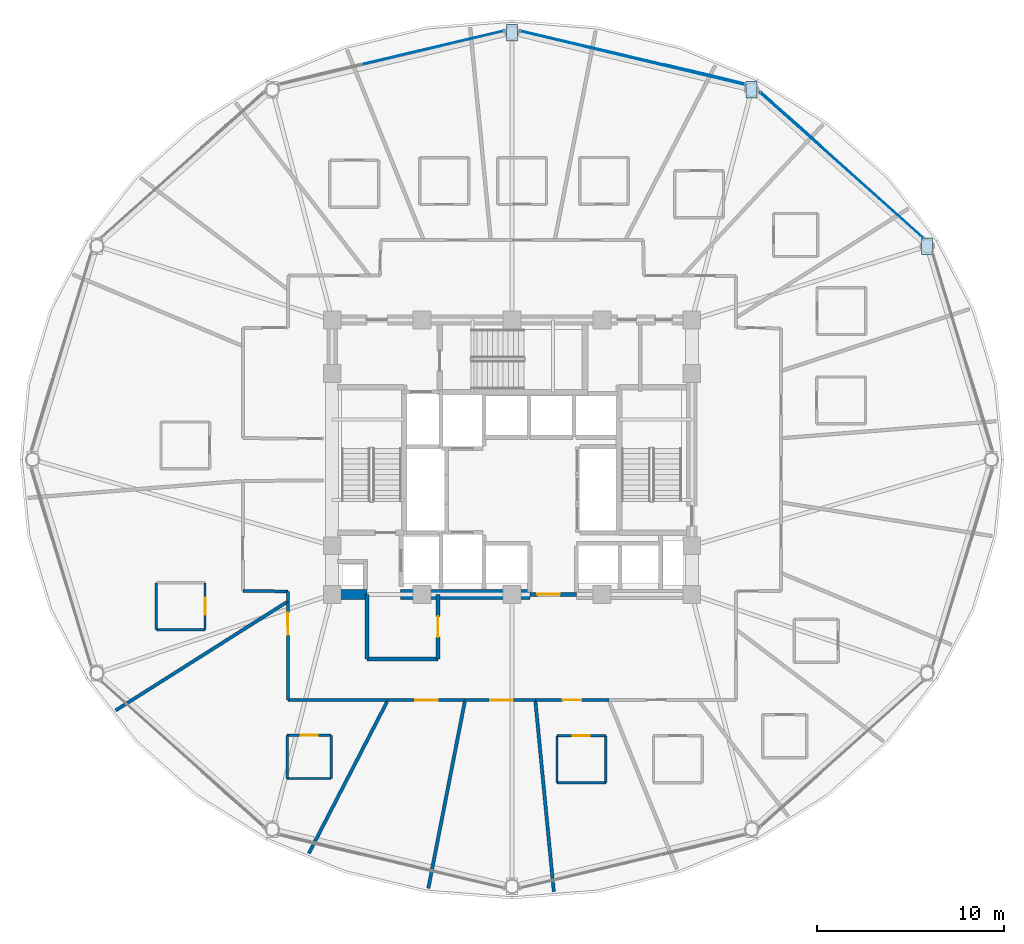
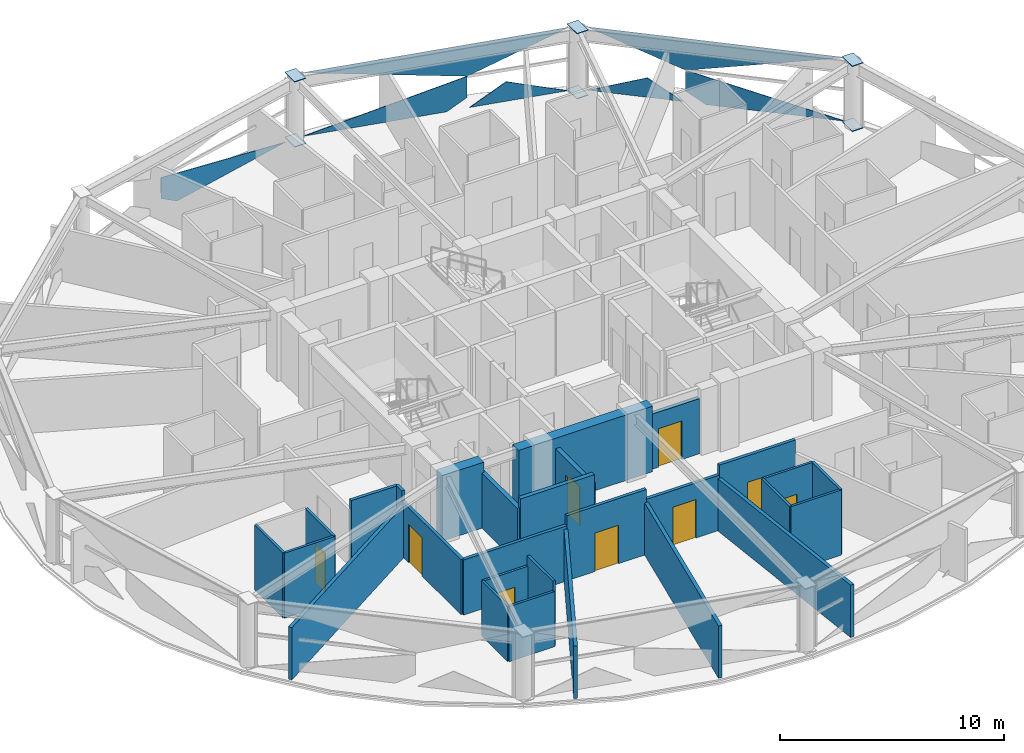
# One storey, part 24 of 32: 28 walls, 13 plates, 9 doors, 9 openings, 3 elements without a shape of their own.
"""IFC4 building model written with IfcOpenShell, lengths in metres."""

from ifc_helpers import new_model, si_unit, direction, frame, frame_2d, origin, place, context, subcontext, project, spatial, polyline, rectangle, outline, extrude, material, layer, layer_set, type_object, element, fill, aggregate, save


model = new_model("IFC4")

# Units and contexts
model_context = context("Model", 3, precision=1e-05, world=origin(), true_north=direction((0.0, 1.0)))
body_context = subcontext(model_context, "Body", "Model", "MODEL_VIEW")
ifc_project = project(units=[si_unit("LENGTHUNIT", "METRE"), si_unit("AREAUNIT", "SQUARE_METRE"), si_unit("VOLUMEUNIT", "CUBIC_METRE"), si_unit("PLANEANGLEUNIT", "RADIAN"), si_unit("MASSUNIT", "GRAM", prefix="KILO")], contexts=[model_context])

# Site, building, storey
site_placement = place(None, origin())
site = spatial("IfcSite", under=ifc_project, at=site_placement, CompositionType="ELEMENT")
building_placement = place(site_placement, origin())
building = spatial("IfcBuilding", under=site, at=building_placement, Name="Vantalir Tower", CompositionType="ELEMENT")
storey_placement = place(building_placement, frame((0.0, 0.0, 100.949951171875)))
storey = spatial("IfcBuildingStorey", under=building, at=storey_placement, Name="L24", CompositionType="ELEMENT", Elevation=100.949951171875)

# Curtain wall, plates
ifc_material_1 = material(Name="Champagne-silver PVDF aluminium and double-silver Low-E glass", Category="aluminium")
ifc_layer_1 = layer(ifc_material_1, 0.199951171875)
ifc_layer_set_1 = layer_set([ifc_layer_1], Name="Champagne-silver PVDF aluminium and double-silver Low-E glass")
curtain_wall_type = type_object("IfcCurtainWallType", Name="CW-DIAMOND-Z2", PredefinedType="USERDEFINED", material=ifc_layer_set_1)
curtain_wall_1_placement = place(storey_placement, origin())
curtain_wall_1 = element("IfcCurtainWall", 1, at=curtain_wall_1_placement, inside=storey, type_object=curtain_wall_type, Name="L24 Quilted Pyramid-Diamond Curtain Wall S02", ObjectType="UNITISED CURTAIN WALL", PredefinedType="USERDEFINED")
ifc_material_2 = material(Name="Double-silver Low-E laminated glass IGU", Category="glass")
ifc_layer_2 = layer(ifc_material_2, 0.028076171875)
ifc_layer_set_2 = layer_set([ifc_layer_2], Name="Double-silver Low-E laminated glass IGU")
plate_type_1 = type_object("IfcPlateType", Name="CWP-IGU-28", PredefinedType="CURTAIN_PANEL", material=ifc_layer_set_2)
plate_1_placement = place(storey_placement, frame((53.484375, 36.791748046875, 0.04638671875), z_axis=(-0.665392914712, -0.746367998627, 0.013677707289), x_axis=(-0.746437475345, 0.665455553694, 3.8194755e-05)))
plate_1 = element("IfcPlate", 2, at=plate_1_placement, type_object=plate_type_1, Name="CW-L24-S02 Pyramid Diamond Facet 1L", PredefinedType="CURTAIN_PANEL", context=body_context, shape_type="SweptSolid", body=[
    extrude(outline(polyline([(0.0, 0.0), (6.3500459827509514, 1.1709383462843448e-17), (7.265366109733233, -0.5932838592043047), (7.265391347844731, -1.7269332251036806), (0.0, 0.0)])), origin(), (0.0, 0.0, -1.0), 0.028076171875),
])
plate_2_placement = place(storey_placement, frame((47.98388671875, 41.738037109375, 0.046142578125), z_axis=(-0.665394080446, -0.746363789447, 0.01384960323), x_axis=(-0.746435380329, 0.665457904749, 0.0)))
plate_2 = element("IfcPlate", 3, at=plate_2_placement, type_object=plate_type_1, Name="CW-L24-S02 Pyramid Diamond Facet 1L Infill Light", PredefinedType="CURTAIN_PANEL", context=body_context, shape_type="SweptSolid", body=[
    extrude(outline(polyline([(0.0, 0.0), (4.332440294194434, -6.938893903907228e-18), (1.6192274150799149, -1.0496612202544433), (0.0, 0.0)])), origin(), (0.0, 0.0, -1.0), 0.028076171875),
])
plate_3_placement = place(storey_placement, frame((44.728515625, 44.597412109375, 3.5234375), z_axis=(0.665380669575, 0.746378894422, 0.013678834638), x_axis=(0.746448542261, -0.665443140564, 2.081331e-05)))
plate_3 = element("IfcPlate", 4, at=plate_3_placement, type_object=plate_type_1, Name="CW-L24-S02 Pyramid Diamond Facet 2U", PredefinedType="CURTAIN_PANEL", context=body_context, shape_type="SweptSolid", body=[
    extrude(outline(polyline([(0.0, 0.0), (11.730024079727377, -8.131516293641283e-19), (4.464663138664101, 1.7270611486271994), (0.0, 0.0)])), origin(), (0.0, 0.0, -1.0), 0.028076171875),
])
aggregate(curtain_wall_1, [plate_1, plate_2, plate_3])

curtain_wall_2_placement = place(storey_placement, origin())
curtain_wall_2 = element("IfcCurtainWall", 5, at=curtain_wall_2_placement, inside=storey, type_object=curtain_wall_type, Name="L24 Quilted Pyramid-Diamond Curtain Wall S03", ObjectType="UNITISED CURTAIN WALL", PredefinedType="USERDEFINED")
plate_4_placement = place(storey_placement, frame((38.450927734375, 46.318115234375, 0.04638671875), z_axis=(-0.232234255581, -0.972564710744, 0.013606393743), x_axis=(-0.97265474992, 0.23225575872, 2.21496e-07)))
plate_4 = element("IfcPlate", 6, at=plate_4_placement, type_object=plate_type_1, Name="CW-L24-S03 Pyramid Diamond Facet 1L", PredefinedType="CURTAIN_PANEL", context=body_context, shape_type="SweptSolid", body=[
    extrude(outline(polyline([(0.0, 0.0), (6.691301387541699, -3.469446951953614e-18), (-0.9572399923047498, -1.7274550465904641), (-0.9571371626585519, -0.592341684166489), (0.0, 0.0)])), origin(), (0.0, 0.0, -1.0), 0.028076171875),
])
plate_5_placement = place(storey_placement, frame((43.953857421875, 45.036865234375, 0.046142578125), z_axis=(-0.232263895951, -0.972558301546, 0.013558492993), x_axis=(-0.972647707898, 0.232285247748, 0.0)))
plate_5 = element("IfcPlate", 7, at=plate_5_placement, type_object=plate_type_1, Name="CW-L24-S03 Pyramid Diamond Facet 1L Infill Light", PredefinedType="CURTAIN_PANEL", context=body_context, shape_type="SweptSolid", body=[
    extrude(outline(polyline([(0.0, 0.0), (4.567811199959756, -1.734723475976807e-18), (2.8641317104846302, -1.0542961302731988), (0.0, 0.0)])), origin(), (0.0, 0.0, -1.0), 0.028076171875),
])
plate_6_placement = place(storey_placement, frame((31.942626953125, 47.872314453125, 3.523681640625), z_axis=(0.232260523189, 0.972557634169, 0.013663732563), x_axis=(0.972648496566, -0.23228194449, -1.9782145e-05)))
plate_6 = element("IfcPlate", 8, at=plate_6_placement, type_object=plate_type_1, Name="CW-L24-S03 Pyramid Diamond Facet 2U", PredefinedType="CURTAIN_PANEL", context=body_context, shape_type="SweptSolid", body=[
    extrude(outline(polyline([(0.0, 0.0), (12.341463840613704, 1.2197274440461925e-18), (7.648575297909645, 1.7273048663411104), (0.0, 0.0)])), origin(), (0.0, 0.0, -1.0), 0.028076171875),
])
aggregate(curtain_wall_2, [plate_4, plate_5, plate_6])

# Curtain wall, plate
curtain_wall_3_placement = place(storey_placement, origin())
curtain_wall_3 = element("IfcCurtainWall", 9, at=curtain_wall_3_placement, inside=storey, type_object=curtain_wall_type, Name="L24 Quilted Pyramid-Diamond Curtain Wall S04", ObjectType="UNITISED CURTAIN WALL", PredefinedType="USERDEFINED")
plate_7_placement = place(storey_placement, frame((31.057373046875, 47.872314453125, 0.04638671875), z_axis=(0.232234255581, -0.972564710744, 0.013606393743), x_axis=(-0.97265474992, -0.23225575872, -2.21496e-07)))
plate_7 = element("IfcPlate", 10, at=plate_7_placement, type_object=plate_type_1, Name="CW-L24-S04 Pyramid Diamond Facet 1L", PredefinedType="CURTAIN_PANEL", context=body_context, shape_type="SweptSolid", body=[
    extrude(outline(polyline([(0.0, 0.0), (6.691301387541699, 3.469446951953614e-18), (7.648438550200251, -0.592341684166489), (7.648541379846449, -1.7274550465904641), (0.0, 0.0)])), origin(), (0.0, 0.0, -1.0), 0.028076171875),
])
aggregate(curtain_wall_3, [plate_7])

# Plates
ifc_material_3 = material(Name="Steel S460", Category="steel")
ifc_layer_3 = layer(ifc_material_3, 0.035888671875)
ifc_layer_set_3 = layer_set([ifc_layer_3], Name="Steel S460")
plate_type_2 = type_object("IfcPlateType", Name="PLT-KN-Z2", PredefinedType="USERDEFINED", material=ifc_layer_set_3)
for number, where, z_axis, x_axis, name in (
    (11, (53.3701171875, 36.833984375, 3.59814453125), (0.0, 0.0, 1.0), (0.0, -1.0, 0.0), "L24 Ring Column Top Cap RC02"),
    (12, (53.3701171875, 36.833984375, 0.052978515625), (0.0, 0.0, 1.0), (0.0, -1.0, 0.0), "L24 Ring Column Base Cap RC02"),
):
    element("IfcPlate", number, at=place(storey_placement, frame(where, z_axis=z_axis, x_axis=x_axis)), inside=storey, type_object=plate_type_2, Name=name, ObjectType="FLANGE_PLATE", PredefinedType="USERDEFINED", context=body_context, shape_type="SweptSolid", body=[
        extrude(outline(polyline([(0.0, 0.0), (0.8798828125, 0.0), (0.8798828125, 0.579833984375), (0.0, 0.579833984375), (0.0, 0.0)])), origin(), (0.0, 0.0, -1.0), 0.035888671875),
    ])
for number, where, z_axis, x_axis, name in (
    (13, (44.00390625, 45.175048828125, 3.59814453125), (0.0, 0.0, 1.0), (0.0, -1.0, 0.0), "L24 Ring Column Top Cap RC03"),
    (14, (44.00390625, 45.175048828125, 0.052978515625), (0.0, 0.0, 1.0), (0.0, -1.0, 0.0), "L24 Ring Column Base Cap RC03"),
    (15, (31.2099609375, 48.22802734375, 3.59814453125), (0.0, 0.0, 1.0), (0.0, -1.0, 0.0), "L24 Ring Column Top Cap RC04"),
    (16, (31.2099609375, 48.22802734375, 0.052978515625), (0.0, 0.0, 1.0), (0.0, -1.0, 0.0), "L24 Ring Column Base Cap RC04"),
):
    element("IfcPlate", number, at=place(storey_placement, frame(where, z_axis=z_axis, x_axis=x_axis)), inside=storey, type_object=plate_type_2, Name=name, ObjectType="FLANGE_PLATE", PredefinedType="USERDEFINED", context=body_context, shape_type="SweptSolid", body=[
        extrude(outline(polyline([(0.0, 0.0), (0.880126953125, 0.0), (0.880126953125, 0.580078125), (0.0, 0.580078125), (0.0, 0.0)])), origin(), (0.0, 0.0, -1.0), 0.035888671875),
    ])

# Walls
ifc_material_4 = material(Name="Moisture-resistant en-suite partition", Category="gypsum")
ifc_layer_4 = layer(ifc_material_4, 0.125)
ifc_layer_set_4 = layer_set([ifc_layer_4], Name="Moisture-resistant en-suite partition")
wall_type_1 = type_object("IfcWallType", Name="WL-BATH-125", PredefinedType="PARTITIONING", material=ifc_layer_set_4)
wall_1_placement = place(storey_placement, frame((12.513916015625, 15.9208984375, 0.0), z_axis=(0.0, 0.0, 1.0), x_axis=(1.0, 0.0, 0.0)))
element("IfcWall", 17, at=wall_1_placement, inside=storey, type_object=wall_type_1, Name="L24 En-suite 12 South Wall", PredefinedType="PARTITIONING", context=body_context, shape_type="SweptSolid", body=[
    extrude(rectangle(XDim=2.60009765625, YDim=0.125, at=frame_2d((1.300048828125, 0.0))), origin(), (0.0, 0.0, 1.0), 3.550048828125),
])
wall_2_placement = place(storey_placement, frame((12.513916015625, 15.9208984375, 0.0), z_axis=(0.0, 0.0, 1.0), x_axis=(0.0, 1.0, 0.0)))
element("IfcWall", 18, at=wall_2_placement, inside=storey, type_object=wall_type_1, Name="L24 En-suite 12 West Wall", PredefinedType="PARTITIONING", context=body_context, shape_type="SweptSolid", body=[
    extrude(rectangle(XDim=2.5, YDim=0.125, at=frame_2d((1.25, 0.0))), origin(), (0.0, 0.0, 1.0), 3.550048828125),
])

# Wall, opening, door
wall_3_placement = place(storey_placement, frame((15.114013671875, 15.9208984375, 0.0), z_axis=(0.0, 0.0, 1.0), x_axis=(0.0, 1.0, 0.0)))
wall_3 = element("IfcWall", 19, at=wall_3_placement, inside=storey, type_object=wall_type_1, Name="L24 En-suite 12 East Wall", PredefinedType="PARTITIONING", context=body_context, shape_type="SweptSolid", body=[
    extrude(rectangle(XDim=2.5, YDim=0.125, at=frame_2d((1.25, 0.0))), origin(), (0.0, 0.0, 1.0), 3.550048828125),
])
opening_1_placement = place(wall_3_placement, frame((0.800048828125, 0.0, 0.0)))
opening_1 = element("IfcOpeningElement", 20, at=opening_1_placement, cuts=wall_3, Name="Opening D-WC", PredefinedType="OPENING", context=body_context, shape_type="SweptSolid", body=[
    extrude(rectangle(XDim=0.89990234375, YDim=2.10009765625, at=frame_2d((0.449951171875, 1.050048828125))), frame((0.0, 0.072509765625, 0.0), z_axis=(0.0, -1.0, 0.0), x_axis=(1.0, 0.0, 0.0)), (0.0, 0.0, 1.0), 0.14501953125),
])
ifc_material_5 = material(Name="Moisture-resistant hardwood door", Category="wood")
door_type_1 = type_object("IfcDoorType", Name="DR-ENSUITE-900", OperationType="NOTDEFINED", PredefinedType="DOOR", material=ifc_material_5)
door_1_placement = place(opening_1_placement, origin())
door_1 = element("IfcDoor", 21, at=door_1_placement, inside=storey, type_object=door_type_1, Name="L24 En-suite 12 Door", OperationType="SINGLE_SWING_LEFT", OverallHeight=2.10009765625, OverallWidth=0.89990234375, PredefinedType="DOOR", context=body_context, shape_type="SweptSolid", body=[
    extrude(rectangle(XDim=0.89990234375, YDim=2.10009765625, at=frame_2d((0.449951171875, 1.050048828125))), frame((0.0, 0.02490234375, 0.0), z_axis=(0.0, -1.0, 0.0), x_axis=(1.0, 0.0, 0.0)), (0.0, 0.0, 1.0), 0.050048828125),
])
fill(opening_1, door_1)

# Wall
wall_4_placement = place(storey_placement, frame((19.5, 7.97509765625, 0.0), z_axis=(0.0, 0.0, 1.0), x_axis=(1.0, 0.0, 0.0)))
element("IfcWall", 22, at=wall_4_placement, inside=storey, type_object=wall_type_1, Name="L24 En-suite 13 South Wall", PredefinedType="PARTITIONING", context=body_context, shape_type="SweptSolid", body=[
    extrude(rectangle(XDim=2.35009765625, YDim=0.125, at=frame_2d((1.175048828125, 0.0))), origin(), (0.0, 0.0, 1.0), 3.006103515625),
])

# Wall, opening, door
wall_5_placement = place(storey_placement, frame((19.5, 10.27490234375, 0.0), z_axis=(0.0, 0.0, 1.0), x_axis=(1.0, 0.0, 0.0)))
wall_5 = element("IfcWall", 23, at=wall_5_placement, inside=storey, type_object=wall_type_1, Name="L24 En-suite 13 North Wall", PredefinedType="PARTITIONING", context=body_context, shape_type="SweptSolid", body=[
    extrude(rectangle(XDim=2.35009765625, YDim=0.125, at=frame_2d((1.175048828125, 0.0))), origin(), (0.0, 0.0, 1.0), 3.006103515625),
])
opening_2_placement = place(wall_5_placement, frame((0.72509765625, 0.0, 0.0)))
opening_2 = element("IfcOpeningElement", 24, at=opening_2_placement, cuts=wall_5, Name="Opening D-WC", PredefinedType="OPENING", context=body_context, shape_type="SweptSolid", body=[
    extrude(rectangle(XDim=0.89990234375, YDim=2.10009765625, at=frame_2d((0.449951171875, 1.050048828125))), frame((0.0, 0.072509765625, 0.0), z_axis=(0.0, -1.0, 0.0), x_axis=(1.0, 0.0, 0.0)), (0.0, 0.0, 1.0), 0.14501953125),
])
door_2_placement = place(opening_2_placement, frame((0.89990234375, 0.0, 0.0), z_axis=(0.0, 0.0, 1.0), x_axis=(-1.0, 0.0, 0.0)))
door_2 = element("IfcDoor", 25, at=door_2_placement, inside=storey, type_object=door_type_1, Name="L24 En-suite 13 Door", OperationType="SINGLE_SWING_RIGHT", OverallHeight=2.10009765625, OverallWidth=0.89990234375, PredefinedType="DOOR", context=body_context, shape_type="SweptSolid", body=[
    extrude(rectangle(XDim=0.89990234375, YDim=2.10009765625, at=frame_2d((0.449951171875, 1.050048828125))), frame((0.0, 0.02490234375, 0.0), z_axis=(0.0, -1.0, 0.0), x_axis=(1.0, 0.0, 0.0)), (0.0, 0.0, 1.0), 0.050048828125),
])
fill(opening_2, door_2)

# Walls
wall_6_placement = place(storey_placement, frame((19.5, 7.97509765625, 0.0), z_axis=(0.0, 0.0, 1.0), x_axis=(0.0, 1.0, 0.0)))
element("IfcWall", 26, at=wall_6_placement, inside=storey, type_object=wall_type_1, Name="L24 En-suite 13 West Wall", PredefinedType="PARTITIONING", context=body_context, shape_type="SweptSolid", body=[
    extrude(rectangle(XDim=2.2998046875, YDim=0.125, at=frame_2d((1.14990234375, 0.0))), origin(), (0.0, 0.0, 1.0), 3.006103515625),
])
wall_7_placement = place(storey_placement, frame((21.85009765625, 7.97509765625, 0.0), z_axis=(0.0, 0.0, 1.0), x_axis=(0.0, 1.0, 0.0)))
element("IfcWall", 27, at=wall_7_placement, inside=storey, type_object=wall_type_1, Name="L24 En-suite 13 East Wall", PredefinedType="PARTITIONING", context=body_context, shape_type="SweptSolid", body=[
    extrude(rectangle(XDim=2.2998046875, YDim=0.125, at=frame_2d((1.14990234375, 0.0))), origin(), (0.0, 0.0, 1.0), 3.550048828125),
])
wall_8_placement = place(storey_placement, frame((33.905029296875, 7.7490234375, 0.0), z_axis=(0.0, 0.0, 1.0), x_axis=(1.0, 0.0, 0.0)))
element("IfcWall", 28, at=wall_8_placement, inside=storey, type_object=wall_type_1, Name="L24 En-suite 16 South Wall", PredefinedType="PARTITIONING", context=body_context, shape_type="SweptSolid", body=[
    extrude(rectangle(XDim=2.599853515625, YDim=0.125, at=frame_2d((1.2998046875, 0.0))), origin(), (0.0, 0.0, 1.0), 3.550048828125),
])

# Wall, opening, door
wall_9_placement = place(storey_placement, frame((33.905029296875, 10.2490234375, 0.0), z_axis=(0.0, 0.0, 1.0), x_axis=(1.0, 0.0, 0.0)))
wall_9 = element("IfcWall", 29, at=wall_9_placement, inside=storey, type_object=wall_type_1, Name="L24 En-suite 16 North Wall", PredefinedType="PARTITIONING", context=body_context, shape_type="SweptSolid", body=[
    extrude(rectangle(XDim=2.599853515625, YDim=0.125, at=frame_2d((1.2998046875, 0.0))), origin(), (0.0, 0.0, 1.0), 3.550048828125),
])
opening_3_placement = place(wall_9_placement, frame((0.85009765625, 0.0, 0.0)))
opening_3 = element("IfcOpeningElement", 30, at=opening_3_placement, cuts=wall_9, Name="Opening D-WC", PredefinedType="OPENING", context=body_context, shape_type="SweptSolid", body=[
    extrude(rectangle(XDim=0.89990234375, YDim=2.10009765625, at=frame_2d((0.449951171875, 1.050048828125))), frame((0.0, 0.072509765625, 0.0), z_axis=(0.0, -1.0, 0.0), x_axis=(1.0, 0.0, 0.0)), (0.0, 0.0, 1.0), 0.14501953125),
])
door_3_placement = place(opening_3_placement, frame((0.89990234375, 0.0, 0.0), z_axis=(0.0, 0.0, 1.0), x_axis=(-1.0, 0.0, 0.0)))
door_3 = element("IfcDoor", 31, at=door_3_placement, inside=storey, type_object=door_type_1, Name="L24 En-suite 16 Door", OperationType="SINGLE_SWING_LEFT", OverallHeight=2.10009765625, OverallWidth=0.89990234375, PredefinedType="DOOR", context=body_context, shape_type="SweptSolid", body=[
    extrude(rectangle(XDim=0.89990234375, YDim=2.10009765625, at=frame_2d((0.449951171875, 1.050048828125))), frame((0.0, 0.02490234375, 0.0), z_axis=(0.0, -1.0, 0.0), x_axis=(1.0, 0.0, 0.0)), (0.0, 0.0, 1.0), 0.050048828125),
])
fill(opening_3, door_3)

# Walls
for number, where, z_axis, x_axis, name in (
    (32, (33.905029296875, 7.7490234375, 0.0), (0.0, 0.0, 1.0), (0.0, 1.0, 0.0), "L24 En-suite 16 West Wall"),
    (33, (36.5048828125, 7.7490234375, 0.0), (0.0, 0.0, 1.0), (0.0, 1.0, 0.0), "L24 En-suite 16 East Wall"),
):
    element("IfcWall", number, at=place(storey_placement, frame(where, z_axis=z_axis, x_axis=x_axis)), inside=storey, type_object=wall_type_1, Name=name, PredefinedType="PARTITIONING", context=body_context, shape_type="SweptSolid", body=[
        extrude(rectangle(XDim=2.5, YDim=0.125, at=frame_2d((1.25, 0.0))), origin(), (0.0, 0.0, 1.0), 3.550048828125),
    ])
ifc_material_6 = material(Name="Concrete C60/75", Category="concrete")
ifc_layer_5 = layer(ifc_material_6, 0.550048828125)
ifc_layer_set_5 = layer_set([ifc_layer_5], Name="Concrete C60/75")
wall_type_2 = type_object("IfcWallType", Name="WL-CORE-550", PredefinedType="SHEAR", material=ifc_layer_set_5)
wall_10_placement = place(storey_placement, frame((21.625, 17.800048828125, 0.0), z_axis=(0.0, 0.0, 1.0), x_axis=(1.0, 0.0, 0.0)))
element("IfcWall", 34, at=wall_10_placement, inside=storey, type_object=wall_type_2, Name="L24 Core Shear Wall South-West", PredefinedType="SHEAR", context=body_context, shape_type="SweptSolid", body=[
    extrude(rectangle(XDim=2.125, YDim=0.550048828125, at=frame_2d((1.0625, 0.0))), origin(), (0.0, 0.0, 1.0), 3.570068359375),
])
wall_11_placement = place(storey_placement, frame((25.550048828125, 17.800048828125, 0.0), z_axis=(0.0, 0.0, 1.0), x_axis=(1.0, 0.0, 0.0)))
element("IfcWall", 35, at=wall_11_placement, inside=storey, type_object=wall_type_2, Name="L24 Core Shear Wall South-Mid", PredefinedType="SHEAR", context=body_context, shape_type="SweptSolid", body=[
    extrude(rectangle(XDim=6.89990234375, YDim=0.550048828125, at=frame_2d((3.449951171875, 0.0))), origin(), (0.0, 0.0, 1.0), 3.570068359375),
])

# Wall, opening, door
ifc_material_7 = material(Name="Fire-rated hotel corridor acoustic partition", Category="gypsum")
ifc_layer_6 = layer(ifc_material_7, 0.159912109375)
ifc_layer_set_6 = layer_set([ifc_layer_6], Name="Fire-rated hotel corridor acoustic partition")
wall_type_3 = type_object("IfcWallType", Name="WL-CORR-160", PredefinedType="PARTITIONING", material=ifc_layer_set_6)
wall_12_placement = place(storey_placement, frame((36.66796875, 12.1650390625, 0.0), z_axis=(0.0, 0.0, 1.0), x_axis=(-0.999999876195, -0.000497605213, 0.0)))
wall_12 = element("IfcWall", 36, at=wall_12_placement, inside=storey, type_object=wall_type_3, Name="L24 Corridor Partition 31", PredefinedType="PARTITIONING", context=body_context, shape_type="SweptSolid", body=[
    extrude(rectangle(XDim=3.925048828125, YDim=0.159912109375, at=frame_2d((1.96240234375, 0.0))), origin(), (0.0, 0.0, 1.0), 3.550048828125),
])
opening_4_placement = place(wall_12_placement, frame((1.462890625, 0.0, 0.0)))
opening_4 = element("IfcOpeningElement", 37, at=opening_4_placement, cuts=wall_12, Name="Opening D-GUEST", PredefinedType="OPENING", context=body_context, shape_type="SweptSolid", body=[
    extrude(rectangle(XDim=1.0, YDim=2.10009765625, at=frame_2d((0.5, 1.050048828125))), frame((0.0, 0.08984375, 0.0), z_axis=(0.0, -1.0, 0.0), x_axis=(1.0, 0.0, 0.0)), (0.0, 0.0, 1.0), 0.179931640625),
])
ifc_material_8 = material(Name="Solid-core teak veneer acoustic fire door", Category="wood")
door_type_2 = type_object("IfcDoorType", Name="DR-GUEST-ENTRY-1000", OperationType="NOTDEFINED", PredefinedType="DOOR", material=ifc_material_8)
door_4_placement = place(opening_4_placement, origin())
door_4 = element("IfcDoor", 38, at=door_4_placement, inside=storey, type_object=door_type_2, Name="L24 Deluxe King Hotel Room 16 Door", OperationType="SINGLE_SWING_LEFT", OverallHeight=2.10009765625, OverallWidth=1.0, PredefinedType="DOOR", context=body_context, shape_type="SweptSolid", body=[
    extrude(rectangle(XDim=1.0, YDim=2.10009765625, at=frame_2d((0.5, 1.050048828125))), frame((0.0, 0.02490234375, 0.0), z_axis=(0.0, -1.0, 0.0), x_axis=(1.0, 0.0, 0.0)), (0.0, 0.0, 1.0), 0.050048828125),
])
fill(opening_4, door_4)

wall_13_placement = place(storey_placement, frame((32.742919921875, 12.1630859375, 0.0), z_axis=(0.0, 0.0, 1.0), x_axis=(-0.999999828137, -0.000586280923, 0.0)))
wall_13 = element("IfcWall", 39, at=wall_13_placement, inside=storey, type_object=wall_type_3, Name="L24 Corridor Partition 32", PredefinedType="PARTITIONING", context=body_context, shape_type="SweptSolid", body=[
    extrude(rectangle(XDim=3.747802734375, YDim=0.159912109375, at=frame_2d((1.8740234375, 0.0))), origin(), (0.0, 0.0, 1.0), 3.006103515625),
])
opening_5_placement = place(wall_13_placement, frame((1.199951171875, 0.0, 0.0)))
opening_5 = element("IfcOpeningElement", 40, at=opening_5_placement, cuts=wall_13, Name="Opening D-STE", PredefinedType="OPENING", context=body_context, shape_type="SweptSolid", body=[
    extrude(rectangle(XDim=1.199951171875, YDim=2.10009765625, at=frame_2d((0.60009765625, 1.050048828125))), frame((0.0, 0.08984375, 0.0), z_axis=(0.0, -1.0, 0.0), x_axis=(1.0, 0.0, 0.0)), (0.0, 0.0, 1.0), 0.179931640625),
])
ifc_material_9 = material(Name="Solid-core teak veneer suite entrance door", Category="wood")
door_type_3 = type_object("IfcDoorType", Name="DR-SUITE-ENTRY-1200", OperationType="NOTDEFINED", PredefinedType="DOOR", material=ifc_material_9)
door_5_placement = place(opening_5_placement, origin())
door_5 = element("IfcDoor", 41, at=door_5_placement, inside=storey, type_object=door_type_3, Name="L24 Executive Sky Boardroom 15 Door", OperationType="SINGLE_SWING_RIGHT", OverallHeight=2.10009765625, OverallWidth=1.199951171875, PredefinedType="DOOR", context=body_context, shape_type="SweptSolid", body=[
    extrude(rectangle(XDim=1.199951171875, YDim=2.10009765625, at=frame_2d((0.60009765625, 1.050048828125))), frame((0.0, 0.02490234375, 0.0), z_axis=(0.0, -1.0, 0.0), x_axis=(1.0, 0.0, 0.0)), (0.0, 0.0, 1.0), 0.050048828125),
])
fill(opening_5, door_5)

wall_14_placement = place(storey_placement, frame((28.9951171875, 12.160888671875, 0.0), z_axis=(0.0, 0.0, 1.0), x_axis=(-0.999999887587, -0.000474158316, 0.0)))
wall_14 = element("IfcWall", 42, at=wall_14_placement, inside=storey, type_object=wall_type_3, Name="L24 Corridor Partition 33", PredefinedType="PARTITIONING", context=body_context, shape_type="SweptSolid", body=[
    extrude(rectangle(XDim=4.119140625, YDim=0.159912109375, at=frame_2d((2.0595703125, 0.0))), origin(), (0.0, 0.0, 1.0), 3.550048828125),
])
opening_6_placement = place(wall_14_placement, frame((1.4599609375, 0.0, 0.0)))
opening_6 = element("IfcOpeningElement", 43, at=opening_6_placement, cuts=wall_14, Name="Opening D-STE", PredefinedType="OPENING", context=body_context, shape_type="SweptSolid", body=[
    extrude(rectangle(XDim=1.199951171875, YDim=2.10009765625, at=frame_2d((0.60009765625, 1.050048828125))), frame((0.0, 0.08984375, 0.0), z_axis=(0.0, -1.0, 0.0), x_axis=(1.0, 0.0, 0.0)), (0.0, 0.0, 1.0), 0.179931640625),
])
door_6_placement = place(opening_6_placement, origin())
door_6 = element("IfcDoor", 44, at=door_6_placement, inside=storey, type_object=door_type_3, Name="L24 Club Reading Lounge 14 Door", OperationType="SINGLE_SWING_LEFT", OverallHeight=2.10009765625, OverallWidth=1.199951171875, PredefinedType="DOOR", context=body_context, shape_type="SweptSolid", body=[
    extrude(rectangle(XDim=1.199951171875, YDim=2.10009765625, at=frame_2d((0.60009765625, 1.050048828125))), frame((0.0, 0.02490234375, 0.0), z_axis=(0.0, -1.0, 0.0), x_axis=(1.0, 0.0, 0.0)), (0.0, 0.0, 1.0), 0.050048828125),
])
fill(opening_6, door_6)

# Wall
wall_15_placement = place(storey_placement, frame((24.8759765625, 12.158935546875, 0.0), z_axis=(0.0, 0.0, 1.0), x_axis=(-0.999999932684, -0.000366921959, 0.0)))
element("IfcWall", 45, at=wall_15_placement, inside=storey, type_object=wall_type_3, Name="L24 Corridor Partition 34", PredefinedType="PARTITIONING", context=body_context, shape_type="SweptSolid", body=[
    extrude(rectangle(XDim=5.322998046875, YDim=0.159912109375, at=frame_2d((2.66162109375, 0.0))), origin(), (0.0, 0.0, 1.0), 3.006103515625),
])

# Wall, opening, door
wall_16_placement = place(storey_placement, frame((19.552978515625, 12.156982421875, 0.0), z_axis=(0.0, 0.0, 1.0), x_axis=(-0.003010639436, 0.999995468015, 0.0)))
wall_16 = element("IfcWall", 46, at=wall_16_placement, inside=storey, type_object=wall_type_3, Name="L24 Corridor Partition 35", PredefinedType="PARTITIONING", context=body_context, shape_type="SweptSolid", body=[
    extrude(rectangle(XDim=5.27099609375, YDim=0.159912109375, at=frame_2d((2.635498046875, 0.0))), origin(), (0.0, 0.0, 1.0), 3.006103515625),
])
opening_7_placement = place(wall_16_placement, frame((3.47802734375, 0.0, 0.0)))
opening_7 = element("IfcOpeningElement", 47, at=opening_7_placement, cuts=wall_16, Name="Opening D-STE", PredefinedType="OPENING", context=body_context, shape_type="SweptSolid", body=[
    extrude(rectangle(XDim=1.199951171875, YDim=2.10009765625, at=frame_2d((0.60009765625, 1.050048828125))), frame((0.0, 0.08984375, 0.0), z_axis=(0.0, -1.0, 0.0), x_axis=(1.0, 0.0, 0.0)), (0.0, 0.0, 1.0), 0.179931640625),
])
door_7_placement = place(opening_7_placement, origin())
door_7 = element("IfcDoor", 48, at=door_7_placement, inside=storey, type_object=door_type_3, Name="L24 Executive Club Hotel Suite 13 Door", OperationType="SINGLE_SWING_RIGHT", OverallHeight=2.10009765625, OverallWidth=1.199951171875, PredefinedType="DOOR", context=body_context, shape_type="SweptSolid", body=[
    extrude(rectangle(XDim=1.199951171875, YDim=2.10009765625, at=frame_2d((0.60009765625, 1.050048828125))), frame((0.0, 0.02490234375, 0.0), z_axis=(0.0, -1.0, 0.0), x_axis=(1.0, 0.0, 0.0)), (0.0, 0.0, 1.0), 0.050048828125),
])
fill(opening_7, door_7)

# Walls
wall_17_placement = place(storey_placement, frame((19.537109375, 17.427978515625, 0.0), z_axis=(0.0, 0.0, 1.0), x_axis=(-0.004130299785, 0.999991470275, 0.0)))
element("IfcWall", 49, at=wall_17_placement, inside=storey, type_object=wall_type_3, Name="L24 Corridor Partition 36", PredefinedType="PARTITIONING", context=body_context, shape_type="SweptSolid", body=[
    extrude(rectangle(XDim=0.531982421875, YDim=0.159912109375, at=frame_2d((0.26611328125, 0.0))), origin(), (0.0, 0.0, 1.0), 3.550048828125),
])
wall_18_placement = place(storey_placement, frame((19.534912109375, 17.9599609375, 0.0), z_axis=(0.0, 0.0, 1.0), x_axis=(-0.999911141048, 0.013330791724, 0.0)))
element("IfcWall", 50, at=wall_18_placement, inside=storey, type_object=wall_type_3, Name="L24 Corridor Partition 37", PredefinedType="PARTITIONING", context=body_context, shape_type="SweptSolid", body=[
    extrude(rectangle(XDim=2.399169921875, YDim=0.159912109375, at=frame_2d((1.19970703125, 0.0))), origin(), (0.0, 0.0, 1.0), 3.550048828125),
])

# Wall, opening, door
ifc_material_10 = material(Name="Concrete blockwork with fireboard lining", Category="masonry")
ifc_layer_7 = layer(ifc_material_10, 0.219970703125)
ifc_layer_set_7 = layer_set([ifc_layer_7], Name="Concrete blockwork with fireboard lining")
wall_type_4 = type_object("IfcWallType", Name="WL-FFL-220", PredefinedType="PARTITIONING", material=ifc_layer_set_7)
wall_19_placement = place(storey_placement, frame((32.449951171875, 17.800048828125, 0.0), z_axis=(0.0, 0.0, 1.0), x_axis=(1.0, 0.0, 0.0)))
wall_19 = element("IfcWall", 51, at=wall_19_placement, inside=storey, type_object=wall_type_4, Name="L24 Passenger Lift Lobby South Wall", PredefinedType="PARTITIONING", context=body_context, shape_type="SweptSolid", body=[
    extrude(rectangle(XDim=2.5, YDim=0.219970703125, at=frame_2d((1.25, 0.0))), origin(), (0.0, 0.0, 1.0), 3.006103515625),
])
opening_8_placement = place(wall_19_placement, frame((0.39990234375, 0.0, 0.0)))
opening_8 = element("IfcOpeningElement", 52, at=opening_8_placement, cuts=wall_19, Name="Opening D-STE", PredefinedType="OPENING", context=body_context, shape_type="SweptSolid", body=[
    extrude(rectangle(XDim=1.199951171875, YDim=2.10009765625, at=frame_2d((0.60009765625, 1.050048828125))), frame((0.0, 0.119873046875, 0.0), z_axis=(0.0, -1.0, 0.0), x_axis=(1.0, 0.0, 0.0)), (0.0, 0.0, 1.0), 0.239990234375),
])
door_8_placement = place(opening_8_placement, origin())
door_8 = element("IfcDoor", 53, at=door_8_placement, inside=storey, type_object=door_type_3, Name="L24 Passenger Lift Lobby Concourse Door", OperationType="SINGLE_SWING_LEFT", OverallHeight=2.10009765625, OverallWidth=1.199951171875, PredefinedType="DOOR", context=body_context, shape_type="SweptSolid", body=[
    extrude(rectangle(XDim=1.199951171875, YDim=2.10009765625, at=frame_2d((0.60009765625, 1.050048828125))), frame((0.0, 0.02490234375, 0.0), z_axis=(0.0, -1.0, 0.0), x_axis=(1.0, 0.0, 0.0)), (0.0, 0.0, 1.0), 0.050048828125),
])
fill(opening_8, door_8)

# Walls
wall_20_placement = place(storey_placement, frame((23.75, 14.35009765625, 0.0), z_axis=(0.0, 0.0, 1.0), x_axis=(0.0, 1.0, 0.0)))
element("IfcWall", 54, at=wall_20_placement, inside=storey, type_object=wall_type_4, Name="L24 Firefighting Lobby West Outer W", PredefinedType="PARTITIONING", context=body_context, shape_type="SweptSolid", body=[
    extrude(rectangle(XDim=3.449951171875, YDim=0.219970703125, at=frame_2d((1.72509765625, 0.0))), origin(), (0.0, 0.0, 1.0), 3.006103515625),
])
wall_21_placement = place(storey_placement, frame((23.75, 14.35009765625, 0.0), z_axis=(0.0, 0.0, 1.0), x_axis=(1.0, 0.0, 0.0)))
element("IfcWall", 55, at=wall_21_placement, inside=storey, type_object=wall_type_4, Name="L24 Firefighting Lobby West South Wall", PredefinedType="PARTITIONING", context=body_context, shape_type="SweptSolid", body=[
    extrude(rectangle(XDim=3.800048828125, YDim=0.219970703125, at=frame_2d((1.89990234375, 0.0))), origin(), (0.0, 0.0, 1.0), 3.550048828125),
])

# Wall, opening, door
wall_22_placement = place(storey_placement, frame((27.550048828125, 14.35009765625, 0.0), z_axis=(0.0, 0.0, 1.0), x_axis=(0.0, 1.0, 0.0)))
wall_22 = element("IfcWall", 56, at=wall_22_placement, inside=storey, type_object=wall_type_4, Name="L24 Firefighting Lobby West East Wall", PredefinedType="PARTITIONING", context=body_context, shape_type="SweptSolid", body=[
    extrude(rectangle(XDim=3.449951171875, YDim=0.219970703125, at=frame_2d((1.72509765625, 0.0))), origin(), (0.0, 0.0, 1.0), 3.006103515625),
])
opening_9_placement = place(wall_22_placement, frame((1.175048828125, 0.0, 0.0)))
opening_9 = element("IfcOpeningElement", 57, at=opening_9_placement, cuts=wall_22, Name="Opening D-FFL", PredefinedType="OPENING", context=body_context, shape_type="SweptSolid", body=[
    extrude(rectangle(XDim=1.10009765625, YDim=2.10009765625, at=frame_2d((0.550048828125, 1.050048828125))), frame((0.0, 0.119873046875, 0.0), z_axis=(0.0, -1.0, 0.0), x_axis=(1.0, 0.0, 0.0)), (0.0, 0.0, 1.0), 0.239990234375),
])
ifc_material_11 = material(Name="Fire-rated acoustic steel door", Category="steel")
door_type_4 = type_object("IfcDoorType", Name="DR-FIRE-LOBBY-1100", OperationType="NOTDEFINED", PredefinedType="DOOR", material=ifc_material_11)
door_9_placement = place(opening_9_placement, origin())
door_9 = element("IfcDoor", 58, at=door_9_placement, inside=storey, type_object=door_type_4, Name="L24 Firefighting Lobby West Access Door", OperationType="SINGLE_SWING_LEFT", OverallHeight=2.10009765625, OverallWidth=1.10009765625, PredefinedType="DOOR", context=body_context, shape_type="SweptSolid", body=[
    extrude(rectangle(XDim=1.10009765625, YDim=2.10009765625, at=frame_2d((0.550048828125, 1.050048828125))), frame((0.0, 0.02490234375, 0.0), z_axis=(0.0, -1.0, 0.0), x_axis=(1.0, 0.0, 0.0)), (0.0, 0.0, 1.0), 0.050048828125),
])
fill(opening_9, door_9)

# Walls
ifc_material_12 = material(Name="Twin-stud acoustic fire-rated gypsum partition", Category="gypsum")
ifc_layer_8 = layer(ifc_material_12, 0.179931640625)
ifc_layer_set_8 = layer_set([ifc_layer_8], Name="Twin-stud acoustic fire-rated gypsum partition")
wall_type_5 = type_object("IfcWallType", Name="WL-GUEST-180", PredefinedType="PARTITIONING", material=ifc_layer_set_8)
wall_23_placement = place(storey_placement, frame((19.4599609375, 17.37890625, 0.0), z_axis=(0.0, 0.0, 1.0), x_axis=(-0.844973467663, -0.534808226326, 0.0)))
element("IfcWall", 59, at=wall_23_placement, inside=storey, type_object=wall_type_5, Name="L24 Radial Suite Partition 13", PredefinedType="PARTITIONING", context=body_context, shape_type="SweptSolid", body=[
    extrude(rectangle(XDim=10.790771484375, YDim=0.179931640625, at=frame_2d((5.3955078125, 0.0))), origin(), (0.0, 0.0, 1.0), 2.85107421875),
])
wall_24_placement = place(storey_placement, frame((24.83203125, 12.074951171875, 0.0), z_axis=(0.0, 0.0, 1.0), x_axis=(-0.458445789789, -0.888722373874, 0.0)))
element("IfcWall", 60, at=wall_24_placement, inside=storey, type_object=wall_type_5, Name="L24 Radial Suite Partition 14", PredefinedType="PARTITIONING", context=body_context, shape_type="SweptSolid", body=[
    extrude(rectangle(XDim=9.11767578125, YDim=0.179931640625, at=frame_2d((4.558837890625, 0.0))), origin(), (0.0, 0.0, 1.0), 2.85107421875),
])
wall_25_placement = place(storey_placement, frame((28.97900390625, 12.074951171875, 0.0), z_axis=(0.0, 0.0, 1.0), x_axis=(-0.191521096383, -0.981488496948, 0.0)))
element("IfcWall", 61, at=wall_25_placement, inside=storey, type_object=wall_type_5, Name="L24 Radial Suite Partition 15", PredefinedType="PARTITIONING", context=body_context, shape_type="SweptSolid", body=[
    extrude(rectangle(XDim=10.15087890625, YDim=0.179931640625, at=frame_2d((5.075439453125, 0.0))), origin(), (0.0, 0.0, 1.0), 2.85107421875),
])
wall_26_placement = place(storey_placement, frame((32.7509765625, 12.074951171875, 0.0), z_axis=(0.0, 0.0, 1.0), x_axis=(0.096406161047, -0.995342077937, 0.0)))
element("IfcWall", 62, at=wall_26_placement, inside=storey, type_object=wall_type_5, Name="L24 Radial Suite Partition 16", PredefinedType="PARTITIONING", context=body_context, shape_type="SweptSolid", body=[
    extrude(rectangle(XDim=10.185302734375, YDim=0.179931640625, at=frame_2d((5.0927734375, 0.0))), origin(), (0.0, 0.0, 1.0), 2.85107421875),
])

save(model, "model.ifc")
